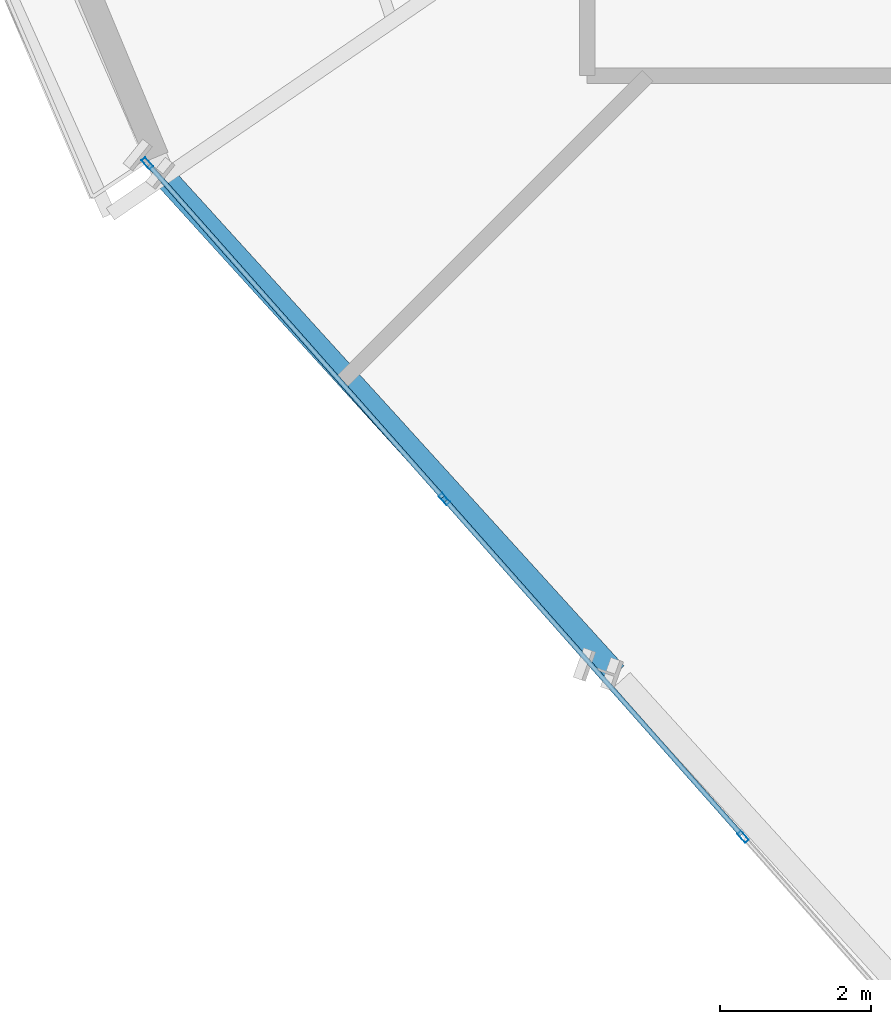
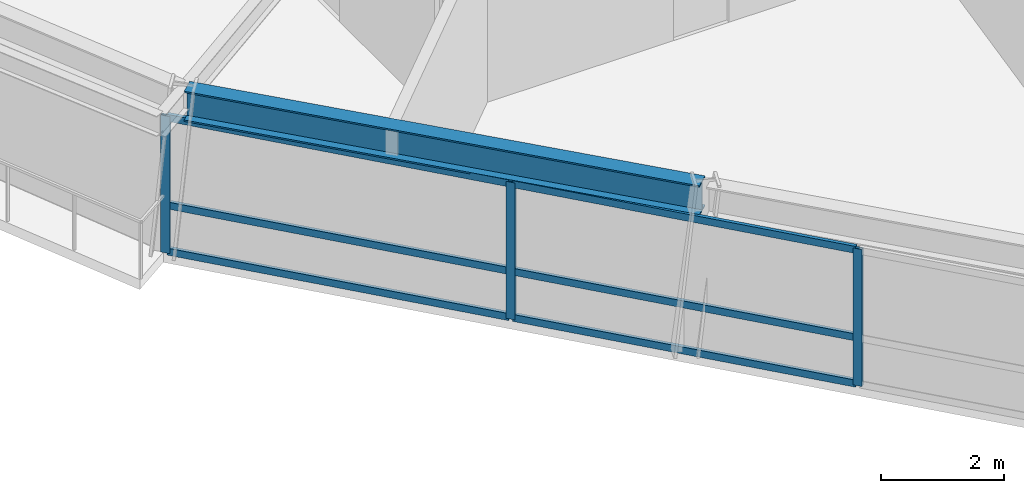
# One storey, part 2 of 13: 9 members, 1 beam, 1 element without a shape of its own.
"""IFC4 building model written with IfcOpenShell, lengths in metres."""

from ifc_helpers import new_model, si_unit, direction, frame, origin, origin_2d, place, context, subcontext, project, spatial, hollow_rectangle, i_section, extrude, source, transform, mapped, material, material_profile, profile_set, type_object, element, aggregate, save


model = new_model("IFC4")

# Units and contexts
model_context = context("Model", 3, precision=1e-05, world=origin(), true_north=direction((0.0, 1.0)))
body_context = subcontext(model_context, "Body", "Model", "MODEL_VIEW")
ifc_project = project(units=[si_unit("LENGTHUNIT", "METRE"), si_unit("AREAUNIT", "SQUARE_METRE"), si_unit("VOLUMEUNIT", "CUBIC_METRE"), si_unit("PLANEANGLEUNIT", "RADIAN"), si_unit("MASSUNIT", "GRAM", prefix="KILO")], contexts=[model_context])

# Site, building, storey
site_placement = place(None, origin())
site = spatial("IfcSite", under=ifc_project, at=site_placement, CompositionType="ELEMENT")
building_placement = place(site_placement, origin())
building = spatial("IfcBuilding", under=site, at=building_placement, Name="Olszyna Solenne Hotel", CompositionType="ELEMENT")
storey_placement = place(building_placement, frame((0.0, 0.0, 171.449951171875)))
storey = spatial("IfcBuildingStorey", under=building, at=storey_placement, Name="L45", CompositionType="ELEMENT", Elevation=171.449951171875)

# Beam
ifc_material_1 = material(Name="Steel S355J2", Category="steel")
ifc_material_profile_1 = material_profile(ifc_material_1, i_section(OverallWidth=0.300048828125, OverallDepth=0.60009765625, WebThickness=0.015380859375, FlangeThickness=0.030029296875, at=origin_2d()), Name="HEB 600", Category="load-bearing")
ifc_profile_set_1 = profile_set([ifc_material_profile_1], Name="Steel S355J2")
beam_type = type_object("IfcBeamType", Name="BM-S2", PredefinedType="BEAM", material=ifc_profile_set_1)
shared_shape_1 = source(origin(), body_context, "Body", "SweptSolid", [
    extrude(i_section(OverallWidth=0.300048828125, OverallDepth=0.60009765625, WebThickness=0.015380859375, FlangeThickness=0.030029296875, at=origin_2d()), origin(), (0.0, 0.0, 1.0), 8.80712890625),
])
beam_placement = place(storey_placement, frame((22.0546875, 15.621337890625, 3.030029296875), z_axis=(0.672318113364, -0.740262355143, 0.0), x_axis=(0.740262355143, 0.672318113364, 0.0)))
element("IfcBeam", 1, at=beam_placement, inside=storey, type_object=beam_type, Name="Perimeter spandrel beam BM-S2 B-L45-1340", PredefinedType="BEAM", context=body_context, shape_type="MappedRepresentation", body=[
    mapped(shared_shape_1, transform((0.0, 0.0, 0.0), x_axis=(1.0, 0.0, 0.0), y_axis=(0.0, 1.0, 0.0), z_axis=(0.0, 0.0, 1.0), scale=1.0)),
])

# Curtain wall, members
ifc_material_2 = material(Name="Anodised bronze aluminium", Category="aluminium")
curtain_wall_type = type_object("IfcCurtainWallType", Name="CW-SYS-4", PredefinedType="NOTDEFINED", material=ifc_material_2)
curtain_wall_placement = place(storey_placement, origin())
curtain_wall = element("IfcCurtainWall", 2, at=curtain_wall_placement, inside=storey, type_object=curtain_wall_type, Name="Unitised curtain wall CW-SYS-4 CW-L45-01", PredefinedType="NOTDEFINED")
ifc_material_profile_2 = material_profile(ifc_material_2, hollow_rectangle(XDim=0.06494140625, YDim=0.159912109375, WallThickness=0.00390625, at=origin_2d()), Name="MULL 160x65x4", Category="load-bearing")
ifc_profile_set_2 = profile_set([ifc_material_profile_2], Name="Anodised bronze aluminium")
member_type_1 = type_object("IfcMemberType", Name="CW-M3", PredefinedType="MULLION", material=ifc_profile_set_2)
shared_shape_2 = source(origin(), body_context, "Body", "SweptSolid", [
    extrude(hollow_rectangle(XDim=0.06494140625, YDim=0.159912109375, WallThickness=0.00390625, at=origin_2d()), origin(), (0.0, 0.0, 1.0), 2.72216796875),
])
member_1_placement = place(storey_placement, frame((21.787109375, 15.8427734375, 0.0), z_axis=(0.0, 0.0, 1.0), x_axis=(0.74894839373, 0.662628329857, 0.0)))
member_1 = element("IfcMember", 3, at=member_1_placement, type_object=member_type_1, Name="Curtain-wall mullion CW-M3 CM-L45-01-01", PredefinedType="MULLION", context=body_context, shape_type="MappedRepresentation", body=[
    mapped(shared_shape_2, transform((0.0, 0.0, 0.0), x_axis=(1.0, 0.0, 0.0), y_axis=(0.0, 1.0, 0.0), z_axis=(0.0, 0.0, 1.0), scale=1.0)),
])
member_2_placement = place(storey_placement, frame((25.712890625, 11.4052734375, 0.0), z_axis=(0.0, 0.0, 1.0), x_axis=(0.74894839373, 0.662628329857, 0.0)))
member_2 = element("IfcMember", 4, at=member_2_placement, type_object=member_type_1, Name="Curtain-wall mullion CW-M3 CM-L45-01-02", PredefinedType="MULLION", context=body_context, shape_type="MappedRepresentation", body=[
    mapped(shared_shape_2, transform((0.0, 0.0, 0.0), x_axis=(1.0, 0.0, 0.0), y_axis=(0.0, 1.0, 0.0), z_axis=(0.0, 0.0, 1.0), scale=1.0)),
])
member_3_placement = place(storey_placement, frame((29.660400390625, 6.943603515625, 0.0), z_axis=(0.0, 0.0, 1.0), x_axis=(0.74894839373, 0.662628329857, 0.0)))
member_3 = element("IfcMember", 5, at=member_3_placement, type_object=member_type_1, Name="Curtain-wall mullion CW-M3 CM-L45-01-03", PredefinedType="MULLION", context=body_context, shape_type="MappedRepresentation", body=[
    mapped(shared_shape_2, transform((0.0, 0.0, 0.0), x_axis=(1.0, 0.0, 0.0), y_axis=(0.0, 1.0, 0.0), z_axis=(0.0, 0.0, 1.0), scale=1.0)),
])
ifc_material_profile_3 = material_profile(ifc_material_2, hollow_rectangle(XDim=0.06494140625, YDim=0.139892578125, WallThickness=0.00390625, at=origin_2d()), Name="TRAN 140x65x4", Category="load-bearing")
ifc_profile_set_3 = profile_set([ifc_material_profile_3], Name="Anodised bronze aluminium")
member_type_2 = type_object("IfcMemberType", Name="CW-T2", PredefinedType="USERDEFINED", material=ifc_profile_set_3)
shared_shape_3 = source(origin(), body_context, "Body", "SweptSolid", [
    extrude(hollow_rectangle(XDim=0.06494140625, YDim=0.139892578125, WallThickness=0.00390625, at=origin_2d()), origin(), (0.0, 0.0, 1.0), 5.85986328125),
])
member_4_placement = place(storey_placement, frame((21.80859375, 15.818359375, 0.032470703125), z_axis=(0.662624223263, -0.748952026998, 0.0), x_axis=(0.748952026998, 0.662624223263, 0.0)))
member_4 = element("IfcMember", 6, at=member_4_placement, type_object=member_type_2, Name="Curtain-wall transom CW-T2 CT-L45-01-01", ObjectType="TRANSOM", PredefinedType="USERDEFINED", context=body_context, shape_type="MappedRepresentation", body=[
    mapped(shared_shape_3, transform((0.0, 0.0, 0.0), x_axis=(1.0, 0.0, 0.0), y_axis=(0.0, 1.0, 0.0), z_axis=(0.0, 0.0, 1.0), scale=1.0)),
])
member_5_placement = place(storey_placement, frame((21.80859375, 15.818359375, 0.949951171875), z_axis=(0.662624223263, -0.748952026998, 0.0), x_axis=(0.748952026998, 0.662624223263, 0.0)))
member_5 = element("IfcMember", 7, at=member_5_placement, type_object=member_type_2, Name="Curtain-wall transom CW-T2 CT-L45-01-02", ObjectType="TRANSOM", PredefinedType="USERDEFINED", context=body_context, shape_type="MappedRepresentation", body=[
    mapped(shared_shape_3, transform((0.0, 0.0, 0.0), x_axis=(1.0, 0.0, 0.0), y_axis=(0.0, 1.0, 0.0), z_axis=(0.0, 0.0, 1.0), scale=1.0)),
])
member_6_placement = place(storey_placement, frame((21.80859375, 15.818359375, 2.689453125), z_axis=(0.662624223263, -0.748952026998, 0.0), x_axis=(0.748952026998, 0.662624223263, 0.0)))
member_6 = element("IfcMember", 8, at=member_6_placement, type_object=member_type_2, Name="Curtain-wall transom CW-T2 CT-L45-01-03", ObjectType="TRANSOM", PredefinedType="USERDEFINED", context=body_context, shape_type="MappedRepresentation", body=[
    mapped(shared_shape_3, transform((0.0, 0.0, 0.0), x_axis=(1.0, 0.0, 0.0), y_axis=(0.0, 1.0, 0.0), z_axis=(0.0, 0.0, 1.0), scale=1.0)),
])
shared_shape_4 = source(origin(), body_context, "Body", "SweptSolid", [
    extrude(hollow_rectangle(XDim=0.06494140625, YDim=0.139892578125, WallThickness=0.00390625, at=origin_2d()), origin(), (0.0, 0.0, 1.0), 5.89208984375),
])
member_7_placement = place(storey_placement, frame((25.734619140625, 11.380859375, 0.032470703125), z_axis=(0.662633780784, -0.748943571015, 0.0), x_axis=(0.748943571015, 0.662633780784, 0.0)))
member_7 = element("IfcMember", 9, at=member_7_placement, type_object=member_type_2, Name="Curtain-wall transom CW-T2 CT-L45-01-04", ObjectType="TRANSOM", PredefinedType="USERDEFINED", context=body_context, shape_type="MappedRepresentation", body=[
    mapped(shared_shape_4, transform((0.0, 0.0, 0.0), x_axis=(1.0, 0.0, 0.0), y_axis=(0.0, 1.0, 0.0), z_axis=(0.0, 0.0, 1.0), scale=1.0)),
])
member_8_placement = place(storey_placement, frame((25.734619140625, 11.380859375, 0.949951171875), z_axis=(0.662633780784, -0.748943571015, 0.0), x_axis=(0.748943571015, 0.662633780784, 0.0)))
member_8 = element("IfcMember", 10, at=member_8_placement, type_object=member_type_2, Name="Curtain-wall transom CW-T2 CT-L45-01-05", ObjectType="TRANSOM", PredefinedType="USERDEFINED", context=body_context, shape_type="MappedRepresentation", body=[
    mapped(shared_shape_4, transform((0.0, 0.0, 0.0), x_axis=(1.0, 0.0, 0.0), y_axis=(0.0, 1.0, 0.0), z_axis=(0.0, 0.0, 1.0), scale=1.0)),
])
member_9_placement = place(storey_placement, frame((25.734619140625, 11.380859375, 2.689453125), z_axis=(0.662633780784, -0.748943571015, 0.0), x_axis=(0.748943571015, 0.662633780784, 0.0)))
member_9 = element("IfcMember", 11, at=member_9_placement, type_object=member_type_2, Name="Curtain-wall transom CW-T2 CT-L45-01-06", ObjectType="TRANSOM", PredefinedType="USERDEFINED", context=body_context, shape_type="MappedRepresentation", body=[
    mapped(shared_shape_4, transform((0.0, 0.0, 0.0), x_axis=(1.0, 0.0, 0.0), y_axis=(0.0, 1.0, 0.0), z_axis=(0.0, 0.0, 1.0), scale=1.0)),
])
aggregate(curtain_wall, [member_1, member_2, member_3, member_4, member_5, member_6, member_7, member_8, member_9])

save(model, "model.ifc")
